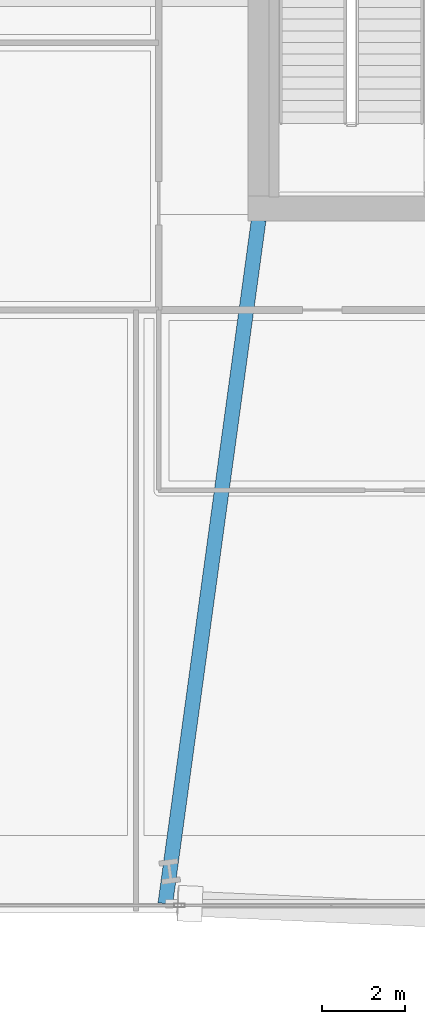
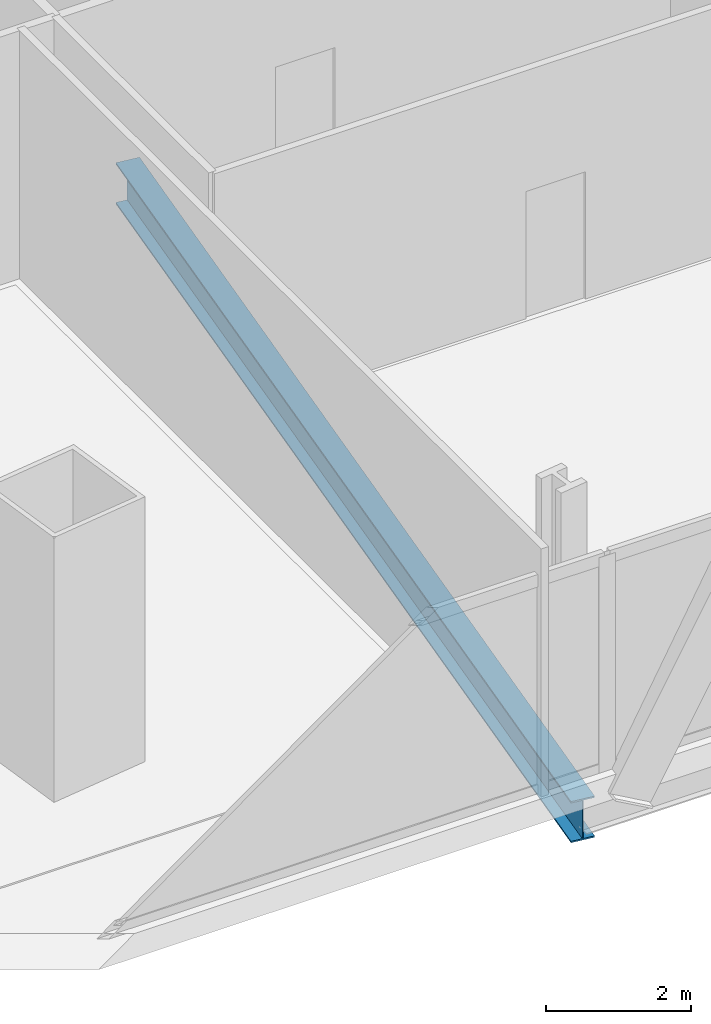
# One storey, part 4 of 29: 1 beam.
"""IFC4 building model written with IfcOpenShell, lengths in metres."""

from ifc_helpers import new_model, si_unit, direction, frame, origin, origin_2d, place, context, subcontext, project, spatial, i_section, extrude, material, material_profile, profile_set, type_object, element, save


model = new_model("IFC4")

# Units and contexts
model_context = context("Model", 3, precision=1e-05, world=origin(), true_north=direction((0.0, 1.0)))
body_context = subcontext(model_context, "Body", "Model", "MODEL_VIEW")
ifc_project = project(units=[si_unit("LENGTHUNIT", "METRE"), si_unit("AREAUNIT", "SQUARE_METRE"), si_unit("VOLUMEUNIT", "CUBIC_METRE"), si_unit("PLANEANGLEUNIT", "RADIAN"), si_unit("MASSUNIT", "GRAM", prefix="KILO")], contexts=[model_context])

# Site, building, storey
site_placement = place(None, origin())
site = spatial("IfcSite", under=ifc_project, at=site_placement, CompositionType="ELEMENT")
building_placement = place(site_placement, origin())
building = spatial("IfcBuilding", under=site, at=building_placement, Name="Haldenkirk Collegiate Tower", CompositionType="ELEMENT")
storey_placement = place(building_placement, frame((0.0, 0.0, 28.199951171875)))
storey = spatial("IfcBuildingStorey", under=building, at=storey_placement, Name="L05", CompositionType="ELEMENT", Elevation=28.199951171875)

# Beam
ifc_material = material(Name="Steel ASTM A992 Grade 50", Category="steel")
ifc_material_profile = material_profile(ifc_material, i_section(OverallWidth=0.35498046875, OverallDepth=0.696044921875, WebThickness=0.015380859375, FlangeThickness=0.02490234375, at=origin_2d()), Name="W27X146")
ifc_profile_set = profile_set([ifc_material_profile], Name="Steel ASTM A992 Grade 50")
beam_type = type_object("IfcBeamType", Name="BM-GIRDER-W27X146", PredefinedType="BEAM", material=ifc_profile_set)
beam_placement = place(storey_placement, frame((24.708984375, 1.219970703125, -0.758056640625), z_axis=(0.135278692574, 0.990807587443, 0.0), x_axis=(-0.990807587443, 0.135278692574, 0.0)))
element("IfcBeam", 1, at=beam_placement, inside=storey, type_object=beam_type, Name="L05 primary floor girder 05", PredefinedType="BEAM", context=body_context, shape_type="SweptSolid", body=[
    extrude(i_section(OverallWidth=0.35498046875, OverallDepth=0.696044921875, WebThickness=0.015380859375, FlangeThickness=0.02490234375, at=origin_2d()), origin(), (0.0, 0.0, 1.0), 16.65576171875),
])

save(model, "model.ifc")
